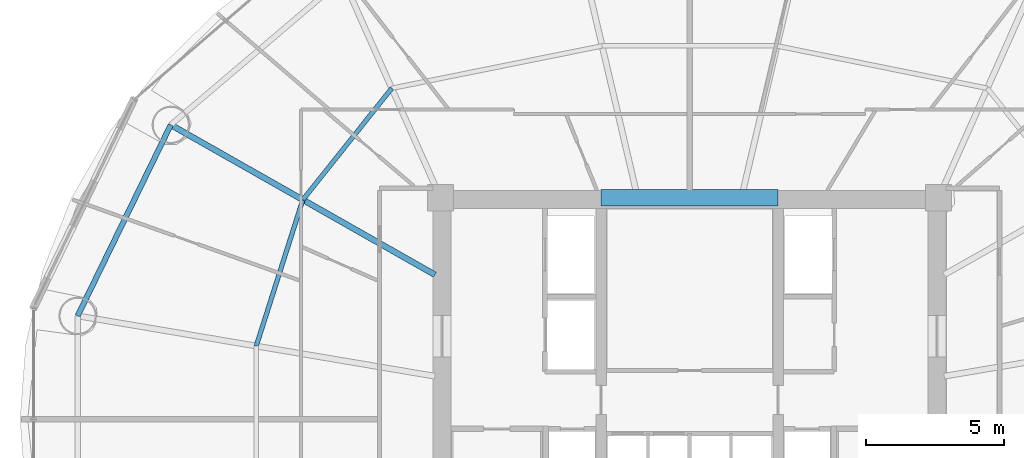
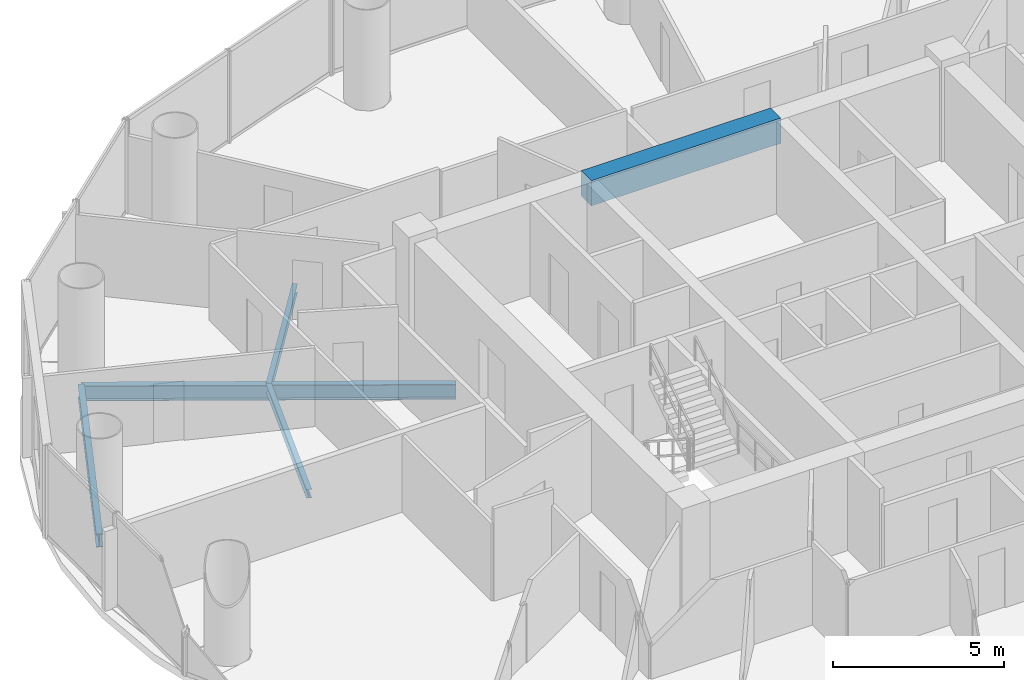
# One storey, part 8 of 27: 5 beams.
"""IFC4 building model written with IfcOpenShell, lengths in metres."""

from ifc_helpers import new_model, si_unit, direction, frame, origin, origin_2d, place, context, subcontext, project, spatial, rectangle, i_section, extrude, material, material_profile, profile_set, type_object, element, save


model = new_model("IFC4")

# Units and contexts
model_context = context("Model", 3, precision=1e-05, world=origin(), true_north=direction((-0.2419218956, 0.970295726276)))
body_context = subcontext(model_context, "Body", "Model", "MODEL_VIEW")
ifc_project = project(units=[si_unit("LENGTHUNIT", "METRE"), si_unit("AREAUNIT", "SQUARE_METRE"), si_unit("VOLUMEUNIT", "CUBIC_METRE"), si_unit("PLANEANGLEUNIT", "RADIAN"), si_unit("MASSUNIT", "GRAM", prefix="KILO")], contexts=[model_context])

# Site, building, storey
site_placement = place(None, origin())
site = spatial("IfcSite", under=ifc_project, at=site_placement, CompositionType="ELEMENT")
building_placement = place(site_placement, origin())
building = spatial("IfcBuilding", under=site, at=building_placement, Name="Cobrevalo Terracotta Tower", CompositionType="ELEMENT")
storey_placement = place(building_placement, frame((0.0, 0.0, 164.199951171875)))
storey = spatial("IfcBuildingStorey", under=building, at=storey_placement, Name="L43", CompositionType="ELEMENT", Elevation=164.199951171875)

# Beams
ifc_material_1 = material(Name="Concrete C60", Category="concrete")
ifc_material_profile_1 = material_profile(ifc_material_1, rectangle(XDim=0.60009765625, YDim=0.89990234375, at=origin_2d()), Name="RC CB 600x900")
ifc_profile_set_1 = profile_set([ifc_material_profile_1], Name="Concrete C60")
beam_type_1 = type_object("IfcBeamType", Name="Structural Beam RC CB 600x900 (Concrete C60)", PredefinedType="BEAM", material=ifc_profile_set_1)
beam_1_placement = place(storey_placement, frame((34.800048828125, 34.800048828125, 2.880126953125), z_axis=(1.0, 0.0, 0.0), x_axis=(0.0, 1.0, 0.0)))
element("IfcBeam", 1, at=beam_1_placement, inside=storey, type_object=beam_type_1, Name="L43 core coupling beam 2", PredefinedType="BEAM", context=body_context, shape_type="SweptSolid", body=[
    extrude(rectangle(XDim=0.60009765625, YDim=0.89990234375, at=origin_2d()), origin(), (0.0, 0.0, 1.0), 6.39990234375),
])
ifc_material_2 = material(Name="Steel S355", Category="steel")
ifc_material_profile_2 = material_profile(ifc_material_2, i_section(OverallWidth=0.2109375, OverallDepth=0.5390625, WebThickness=0.01171875, FlangeThickness=0.018798828125, at=origin_2d()), Name="W 530x109")
ifc_profile_set_2 = profile_set([ifc_material_profile_2], Name="Steel S355")
beam_type_2 = type_object("IfcBeamType", Name="Structural Beam W 530x109 (Steel S355)", PredefinedType="BEAM", material=ifc_profile_set_2)
beam_2_placement = place(storey_placement, frame((19.250244140625, 37.439208984375, -0.53955078125), z_axis=(0.869734177783, -0.493520475762, 0.0), x_axis=(0.493520475762, 0.869734177783, 0.0)))
element("IfcBeam", 2, at=beam_2_placement, inside=storey, type_object=beam_type_2, Name="L43 radial floor girder 07", PredefinedType="BEAM", context=body_context, shape_type="SweptSolid", body=[
    extrude(i_section(OverallWidth=0.2109375, OverallDepth=0.5390625, WebThickness=0.01171875, FlangeThickness=0.018798828125, at=origin_2d()), origin(), (0.0, 0.0, 1.0), 10.974365234375),
])
ifc_material_profile_3 = material_profile(ifc_material_2, i_section(OverallWidth=0.1650390625, OverallDepth=0.31005859375, WebThickness=0.005859375, FlangeThickness=0.009765625, at=origin_2d()), Name="W 310x38.7")
ifc_profile_set_3 = profile_set([ifc_material_profile_3], Name="Steel S355")
beam_type_3 = type_object("IfcBeamType", Name="Structural Joist W 310x38.7 (Steel S355)", PredefinedType="JOIST", material=ifc_profile_set_3)
beam_3_placement = place(storey_placement, frame((27.23583984375, 38.76123046875, -0.425048828125), z_axis=(-0.62340602772, -0.781898282773, 0.0), x_axis=(0.781898282773, -0.62340602772, 0.0)))
element("IfcBeam", 3, at=beam_3_placement, inside=storey, type_object=beam_type_3, Name="L43 circumferential secondary floor joist 06", PredefinedType="JOIST", context=body_context, shape_type="SweptSolid", body=[
    extrude(i_section(OverallWidth=0.1650390625, OverallDepth=0.31005859375, WebThickness=0.005859375, FlangeThickness=0.009765625, at=origin_2d()), origin(), (0.0, 0.0, 1.0), 5.154052734375),
])
beam_4_placement = place(storey_placement, frame((24.022705078125, 34.731201171875, -0.425048828125), z_axis=(-0.303497928386, -0.952832098255, 0.0), x_axis=(0.952832098255, -0.303497928386, 0.0)))
element("IfcBeam", 4, at=beam_4_placement, inside=storey, type_object=beam_type_3, Name="L43 circumferential secondary floor joist 07", PredefinedType="JOIST", context=body_context, shape_type="SweptSolid", body=[
    extrude(i_section(OverallWidth=0.1650390625, OverallDepth=0.31005859375, WebThickness=0.005859375, FlangeThickness=0.009765625, at=origin_2d()), origin(), (0.0, 0.0, 1.0), 5.54736328125),
])
ifc_material_profile_4 = material_profile(ifc_material_2, i_section(OverallWidth=0.194091796875, OverallDepth=0.468994140625, WebThickness=0.011474609375, FlangeThickness=0.0205078125, at=origin_2d()), Name="W 460x106")
ifc_profile_set_4 = profile_set([ifc_material_profile_4], Name="Steel S355")
beam_type_4 = type_object("IfcBeamType", Name="Structural Spandrel W 460x106 (Steel S355)", PredefinedType="SPANDREL", material=ifc_profile_set_4)
beam_5_placement = place(storey_placement, frame((19.250244140625, 37.439208984375, -0.50439453125), z_axis=(-0.438367894028, -0.89879563277, 0.0), x_axis=(0.89879563277, -0.438367894028, 0.0)))
element("IfcBeam", 5, at=beam_5_placement, inside=storey, type_object=beam_type_4, Name="L43 perimeter ring spandrel 07", PredefinedType="SPANDREL", context=body_context, shape_type="SweptSolid", body=[
    extrude(i_section(OverallWidth=0.194091796875, OverallDepth=0.468994140625, WebThickness=0.011474609375, FlangeThickness=0.0205078125, at=origin_2d()), origin(), (0.0, 0.0, 1.0), 7.6806640625),
])

save(model, "model.ifc")
